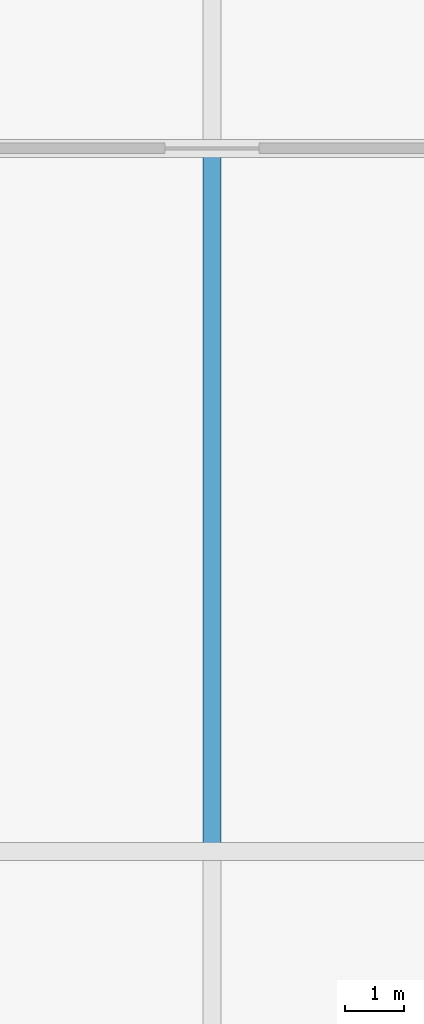
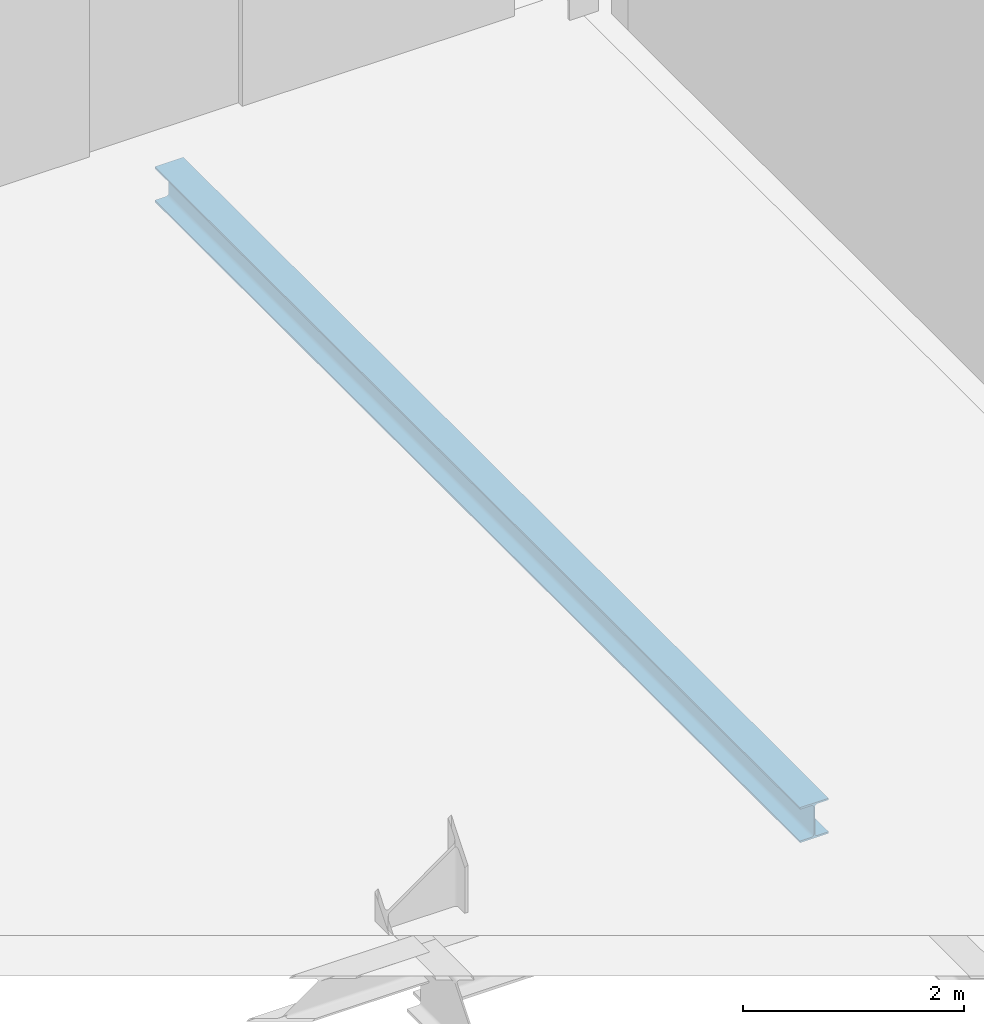
# One storey, part 43 of 131: 1 beam.
"""IFC4 building model written with IfcOpenShell, lengths in metres."""

from ifc_helpers import new_model, si_unit, direction, frame, origin, origin_2d, place, context, subcontext, project, spatial, i_section, extrude, material, material_profile, profile_set, type_object, element, save


model = new_model("IFC4")

# Units and contexts
model_context = context("Model", 3, precision=1e-05, world=origin(), true_north=direction((0.0, 1.0)))
body_context = subcontext(model_context, "Body", "Model", "MODEL_VIEW")
ifc_project = project(units=[si_unit("LENGTHUNIT", "METRE"), si_unit("AREAUNIT", "SQUARE_METRE"), si_unit("VOLUMEUNIT", "CUBIC_METRE"), si_unit("PLANEANGLEUNIT", "RADIAN"), si_unit("MASSUNIT", "GRAM", prefix="KILO")], contexts=[model_context])

# Site, building, storey
site_placement = place(None, origin())
site = spatial("IfcSite", under=ifc_project, at=site_placement, CompositionType="ELEMENT")
building_placement = place(site_placement, origin())
building = spatial("IfcBuilding", under=site, at=building_placement, Name="Veltarok Museum of Natural Sciences", CompositionType="ELEMENT")
storey_placement = place(building_placement, origin())
storey = spatial("IfcBuildingStorey", under=building, at=storey_placement, Name="L00", CompositionType="ELEMENT", Elevation=0.0)

# Beam
ifc_material = material(Name="Steel S355J2", Category="steel")
ifc_material_profile = material_profile(ifc_material, i_section(OverallWidth=0.300048828125, OverallDepth=0.389892578125, WebThickness=0.010986328125, FlangeThickness=0.01904296875, FilletRadius=0.027099609375, at=origin_2d()), Name="HEA 400")
ifc_profile_set = profile_set([ifc_material_profile], Name="Steel S355J2")
beam_type = type_object("IfcBeamType", Name="Heavy Archive Joist HEA 400", PredefinedType="JOIST", material=ifc_profile_set)
beam_placement = place(storey_placement, frame((35.800048828125, 60.14794921875, -0.4951171875), z_axis=(0.0, 1.0, 0.0), x_axis=(-1.0, 0.0, 0.0)))
element("IfcBeam", 1, at=beam_placement, inside=storey, type_object=beam_type, Name="Secondary Joist BM-J06 L00 4-5/G-H.1", PredefinedType="JOIST", context=body_context, shape_type="SweptSolid", body=[
    extrude(i_section(OverallWidth=0.300048828125, OverallDepth=0.389892578125, WebThickness=0.010986328125, FlangeThickness=0.01904296875, FilletRadius=0.027099609375, at=origin_2d()), origin(), (0.0, 0.0, 1.0), 11.7041015625),
])

save(model, "model.ifc")
